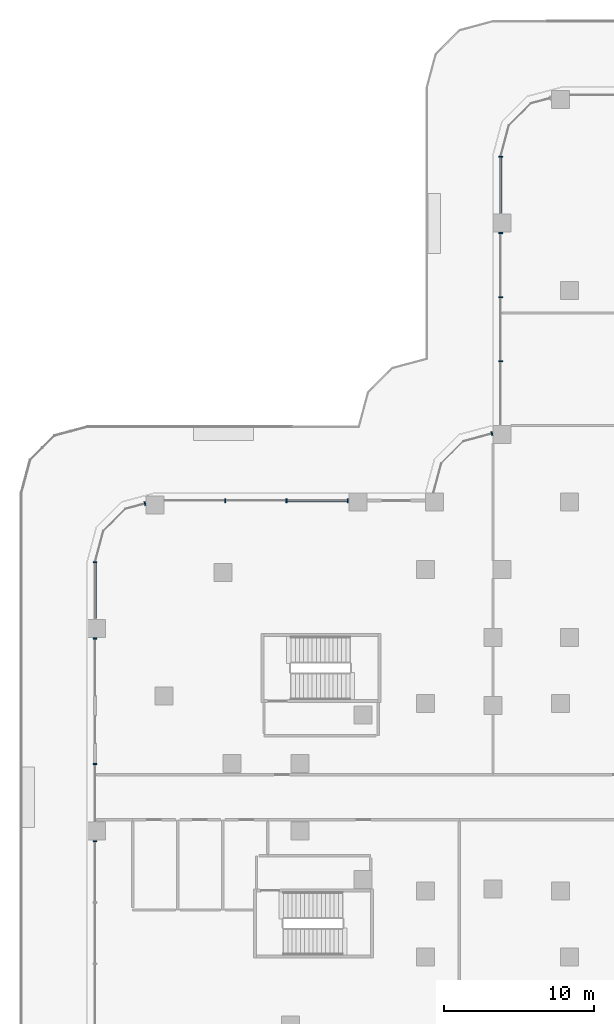
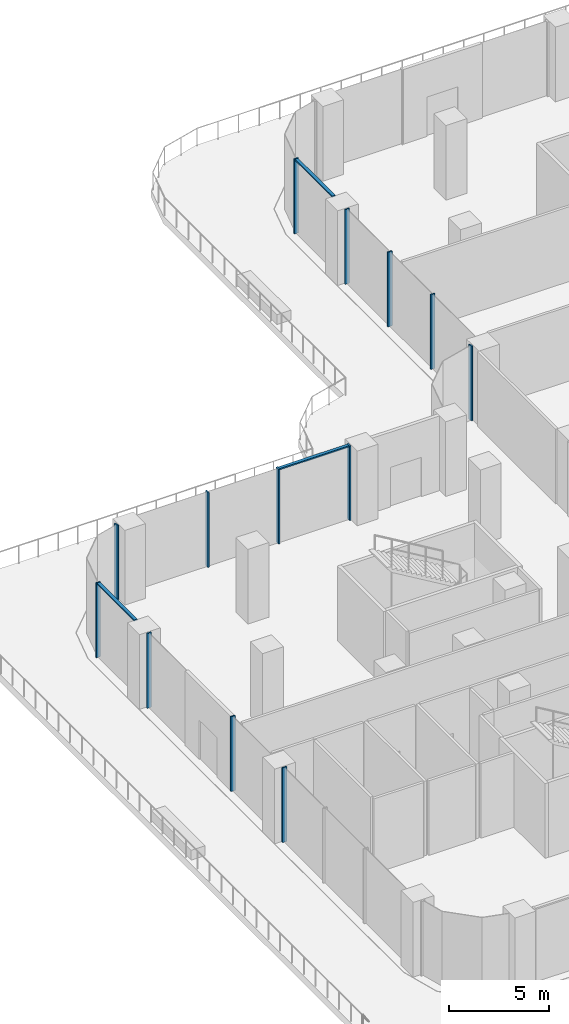
# One storey, part 6 of 29: 16 members, 5 elements without a shape of their own.
"""IFC4 building model written with IfcOpenShell, lengths in metres."""

from ifc_helpers import new_model, si_unit, direction, frame, origin, place, context, subcontext, project, spatial, polyline, outline, extrude, source, transform, mapped, material, type_object, element, aggregate, save


model = new_model("IFC4")

# Units and contexts
model_context = context("Model", 3, precision=1e-05, world=origin(), true_north=direction((0.0, 1.0)))
body_context = subcontext(model_context, "Body", "Model", "MODEL_VIEW")
ifc_project = project(units=[si_unit("LENGTHUNIT", "METRE"), si_unit("AREAUNIT", "SQUARE_METRE"), si_unit("VOLUMEUNIT", "CUBIC_METRE"), si_unit("PLANEANGLEUNIT", "RADIAN"), si_unit("MASSUNIT", "GRAM", prefix="KILO")], contexts=[model_context])

# Site, building, storey
site_placement = place(None, origin())
site = spatial("IfcSite", under=ifc_project, at=site_placement, CompositionType="ELEMENT")
building_placement = place(site_placement, origin())
building = spatial("IfcBuilding", under=site, at=building_placement, Name="Zarbagh Exchange Tower", CompositionType="ELEMENT")
storey_placement = place(building_placement, frame((0.0, 0.0, 12.0)))
storey = spatial("IfcBuildingStorey", under=building, at=storey_placement, Name="L02", CompositionType="ELEMENT", Elevation=12.0)

# Curtain wall, member
ifc_material_1 = material(Name="Anodised aluminium frame and glazing", Category="aluminium")
curtain_wall_type = type_object("IfcCurtainWallType", Name="CWC Podium garden-wall glazing", PredefinedType="NOTDEFINED", material=ifc_material_1)
curtain_wall_1_placement = place(storey_placement, origin())
curtain_wall_1 = element("IfcCurtainWall", 1, at=curtain_wall_1_placement, inside=storey, type_object=curtain_wall_type, Name="CWC126 curtain wall", PredefinedType="NOTDEFINED")
ifc_material_2 = material(Name="Anodised aluminium frame", Category="aluminium")
member_type_1 = type_object("IfcMemberType", Name="TRC Transom, anodised aluminium frame", PredefinedType="USERDEFINED", material=ifc_material_2)
shared_shape_1 = source(origin(), body_context, "Body", "SweptSolid", [
    extrude(outline(polyline([(-0.080078125, -0.090087890625), (0.0, -0.090087890625), (0.0, 0.090087890625), (-0.080078125, 0.090087890625), (-0.080078125, -0.090087890625)])), origin(), (0.0, 0.0, 1.0), 3.714111328125),
])
placement = place(storey_placement, origin())
member_1 = element("IfcMember", 2, at=placement, type_object=member_type_1, Name="CWC126 transom 1.1", ObjectType="TRANSOM", PredefinedType="USERDEFINED", context=body_context, shape_type="MappedRepresentation", body=[
    mapped(shared_shape_1, transform((-19.75, 42.604248046875, 4.550048828125), x_axis=(0.0, 0.0, 1.0), y_axis=(-1.0, 0.0, 0.0), z_axis=(0.0, -1.0, 0.0))),
])

curtain_wall_2_placement = place(storey_placement, origin())
curtain_wall_2 = element("IfcCurtainWall", 3, at=curtain_wall_2_placement, inside=storey, type_object=curtain_wall_type, Name="CWC134 curtain wall", PredefinedType="NOTDEFINED")
member_2 = element("IfcMember", 4, at=placement, type_object=member_type_1, Name="CWC134 transom 1.1", ObjectType="TRANSOM", PredefinedType="USERDEFINED", context=body_context, shape_type="MappedRepresentation", body=[
    mapped(shared_shape_1, transform((-46.75, 15.604248046875, 4.550048828125), x_axis=(0.0, 0.0, 1.0), y_axis=(-1.0, 0.0, 0.0), z_axis=(0.0, -1.0, 0.0))),
])

# Member
member_type_2 = type_object("IfcMemberType", Name="MUC Mullion, anodised aluminium frame", PredefinedType="MULLION", material=ifc_material_2)
shared_shape_2 = source(origin(), body_context, "Body", "SweptSolid", [
    extrude(outline(polyline([(0.0, -0.125), (0.080078125, -0.125), (0.080078125, 0.125), (0.0, 0.125), (0.0, -0.125)])), origin(), (0.0, 0.0, 1.0), 4.550048828125),
])
member_3 = element("IfcMember", 5, at=placement, type_object=member_type_2, Name="CWC126 mullion 1.1", PredefinedType="MULLION", context=body_context, shape_type="MappedRepresentation", body=[
    mapped(shared_shape_2, transform((-19.75, 42.68408203125, 0.0), x_axis=(0.0, -1.0, 0.0), y_axis=(1.0, 0.0, 0.0), z_axis=(0.0, 0.0, 1.0))),
])

member_4 = element("IfcMember", 6, at=placement, type_object=member_type_2, Name="CWC126 mullion 2.1", PredefinedType="MULLION", context=body_context, shape_type="MappedRepresentation", body=[
    mapped(shared_shape_2, transform((-19.75, 37.60986328125, 0.0), x_axis=(0.0, -1.0, 0.0), y_axis=(1.0, 0.0, 0.0), z_axis=(0.0, 0.0, 1.0))),
])

member_5 = element("IfcMember", 7, at=placement, type_object=member_type_2, Name="CWC126 mullion 2.2", PredefinedType="MULLION", context=body_context, shape_type="MappedRepresentation", body=[
    mapped(shared_shape_2, transform((-19.75, 33.336669921875, 0.0), x_axis=(0.0, -1.0, 0.0), y_axis=(1.0, 0.0, 0.0), z_axis=(0.0, 0.0, 1.0))),
])

member_6 = element("IfcMember", 8, at=placement, type_object=member_type_2, Name="CWC126 mullion 2.3", PredefinedType="MULLION", context=body_context, shape_type="MappedRepresentation", body=[
    mapped(shared_shape_2, transform((-19.75, 29.063232421875, 0.0), x_axis=(0.0, -1.0, 0.0), y_axis=(1.0, 0.0, 0.0), z_axis=(0.0, 0.0, 1.0))),
])

aggregate(curtain_wall_1, [member_3, member_1, member_4, member_5, member_6])

# Curtain wall, member
curtain_wall_3_placement = place(storey_placement, origin())
curtain_wall_3 = element("IfcCurtainWall", 9, at=curtain_wall_3_placement, inside=storey, type_object=curtain_wall_type, Name="CWC127 curtain wall", PredefinedType="NOTDEFINED")
member_7 = element("IfcMember", 10, at=placement, type_object=member_type_2, Name="CWC127 mullion 1.1", PredefinedType="MULLION", context=body_context, shape_type="MappedRepresentation", body=[
    mapped(shared_shape_2, transform((-20.2900390625, 24.2216796875, 0.0), x_axis=(-0.965924289636, -0.258824779902, 0.0), y_axis=(0.258824779902, -0.965924289636, 0.0), z_axis=(0.0, 0.0, 1.0))),
])
aggregate(curtain_wall_3, [member_7])

# Curtain wall, members
curtain_wall_4_placement = place(storey_placement, origin())
curtain_wall_4 = element("IfcCurtainWall", 11, at=curtain_wall_4_placement, inside=storey, type_object=curtain_wall_type, Name="CWC130 curtain wall", PredefinedType="NOTDEFINED")
member_8 = element("IfcMember", 12, at=placement, type_object=member_type_2, Name="CWC130 mullion 1.1", PredefinedType="MULLION", context=body_context, shape_type="MappedRepresentation", body=[
    mapped(shared_shape_2, transform((-29.89013671875, 19.75, 0.0), x_axis=(-1.0, 0.0, 0.0), y_axis=(0.0, -1.0, 0.0), z_axis=(0.0, 0.0, 1.0))),
])
member_9 = element("IfcMember", 13, at=placement, type_object=member_type_2, Name="CWC130 mullion 1.2", PredefinedType="MULLION", context=body_context, shape_type="MappedRepresentation", body=[
    mapped(shared_shape_2, transform((-33.96337890625, 19.75, 0.0), x_axis=(-1.0, 0.0, 0.0), y_axis=(0.0, -1.0, 0.0), z_axis=(0.0, 0.0, 1.0))),
])
member_10 = element("IfcMember", 14, at=placement, type_object=member_type_2, Name="CWC130 mullion 1.3", PredefinedType="MULLION", context=body_context, shape_type="MappedRepresentation", body=[
    mapped(shared_shape_2, transform((-38.03662109375, 19.75, 0.0), x_axis=(-1.0, 0.0, 0.0), y_axis=(0.0, -1.0, 0.0), z_axis=(0.0, 0.0, 1.0))),
])

# Curtain wall, member
curtain_wall_5_placement = place(storey_placement, origin())
curtain_wall_5 = element("IfcCurtainWall", 15, at=curtain_wall_5_placement, inside=storey, type_object=curtain_wall_type, Name="CWC131 curtain wall", PredefinedType="NOTDEFINED")
member_11 = element("IfcMember", 16, at=placement, type_object=member_type_2, Name="CWC131 mullion 1.1", PredefinedType="MULLION", context=body_context, shape_type="MappedRepresentation", body=[
    mapped(shared_shape_2, transform((-43.389892578125, 19.560791015625, 0.0), x_axis=(-0.965924289636, -0.258824779902, 0.0), y_axis=(0.258824779902, -0.965924289636, 0.0), z_axis=(0.0, 0.0, 1.0))),
])
aggregate(curtain_wall_5, [member_11])

# Member
member_12 = element("IfcMember", 17, at=placement, type_object=member_type_2, Name="CWC134 mullion 1.1", PredefinedType="MULLION", context=body_context, shape_type="MappedRepresentation", body=[
    mapped(shared_shape_2, transform((-46.75, 15.68408203125, 0.0), x_axis=(0.0, -1.0, 0.0), y_axis=(1.0, 0.0, 0.0), z_axis=(0.0, 0.0, 1.0))),
])

member_13 = element("IfcMember", 18, at=placement, type_object=member_type_2, Name="CWC134 mullion 2.1", PredefinedType="MULLION", context=body_context, shape_type="MappedRepresentation", body=[
    mapped(shared_shape_2, transform((-46.75, 10.60986328125, 0.0), x_axis=(0.0, -1.0, 0.0), y_axis=(1.0, 0.0, 0.0), z_axis=(0.0, 0.0, 1.0))),
])

member_14 = element("IfcMember", 19, at=placement, type_object=member_type_2, Name="CWC134 mullion 3.1", PredefinedType="MULLION", context=body_context, shape_type="MappedRepresentation", body=[
    mapped(shared_shape_2, transform((-46.75, 2.25, 0.0), x_axis=(0.0, -1.0, 0.0), y_axis=(1.0, 0.0, 0.0), z_axis=(0.0, 0.0, 1.0))),
])

member_15 = element("IfcMember", 20, at=placement, type_object=member_type_2, Name="CWC134 mullion 4.1", PredefinedType="MULLION", context=body_context, shape_type="MappedRepresentation", body=[
    mapped(shared_shape_2, transform((-46.75, -2.89013671875, 0.0), x_axis=(0.0, -1.0, 0.0), y_axis=(1.0, 0.0, 0.0), z_axis=(0.0, 0.0, 1.0))),
])

aggregate(curtain_wall_2, [member_12, member_2, member_13, member_14, member_15])

shared_shape_3 = source(origin(), body_context, "Body", "SweptSolid", [
    extrude(outline(polyline([(-0.080078125, -0.090087890625), (0.0, -0.090087890625), (0.0, 0.090087890625), (-0.080078125, 0.090087890625), (-0.080078125, -0.090087890625)])), origin(), (0.0, 0.0, 1.0), 3.993408203125),
])
member_16 = element("IfcMember", 21, at=placement, type_object=member_type_1, Name="CWC130 transom 1.1", ObjectType="TRANSOM", PredefinedType="USERDEFINED", context=body_context, shape_type="MappedRepresentation", body=[
    mapped(shared_shape_3, transform((-29.969970703125, 19.75, 4.550048828125), x_axis=(0.0, 0.0, 1.0), y_axis=(0.0, 1.0, 0.0), z_axis=(-1.0, 0.0, 0.0))),
])

aggregate(curtain_wall_4, [member_8, member_16, member_9, member_10])

save(model, "model.ifc")
